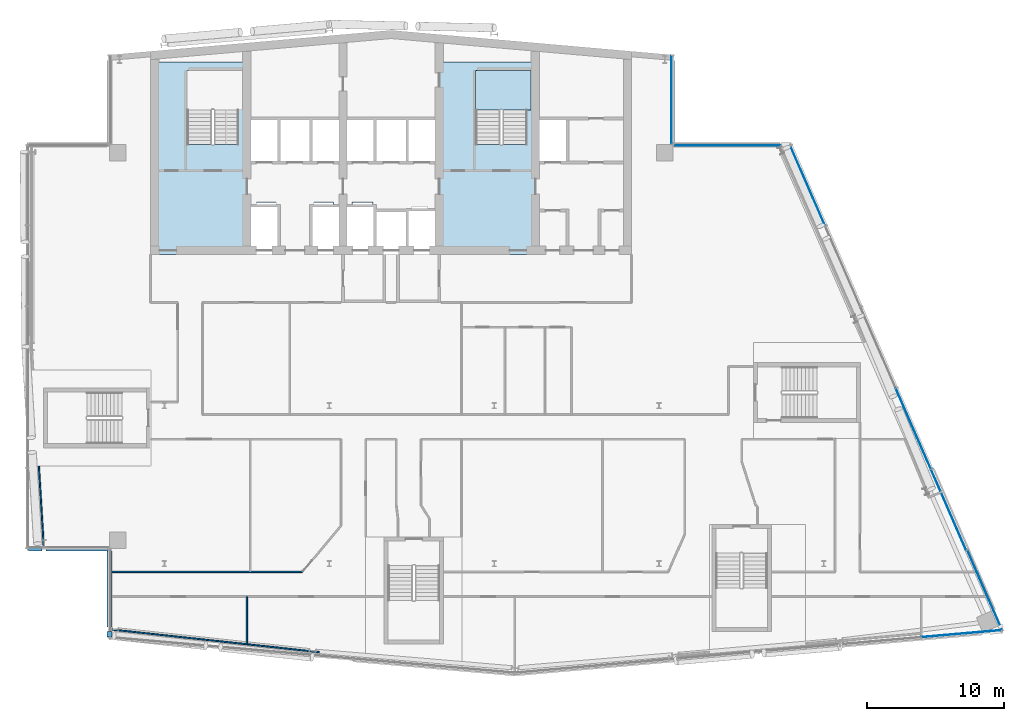
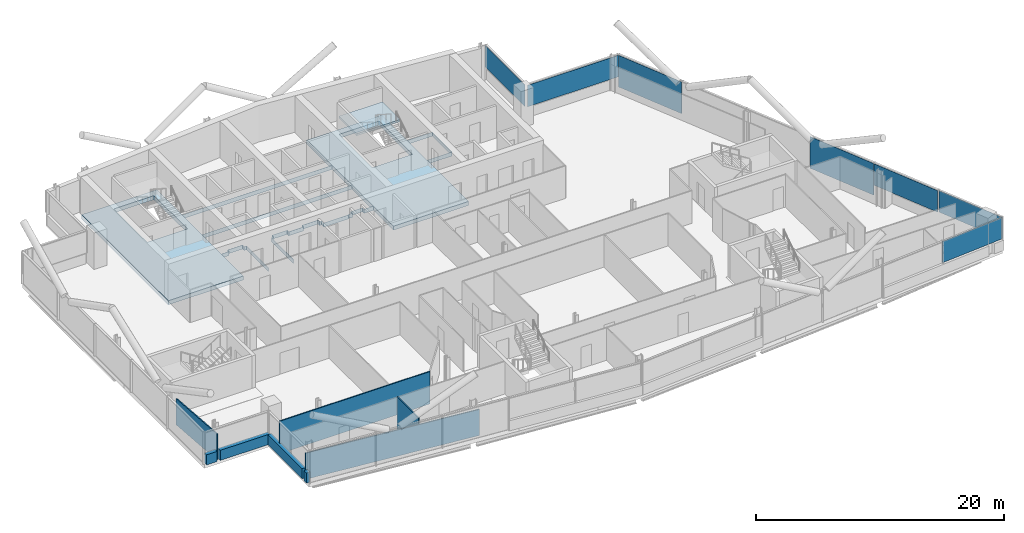
# One storey, part 14 of 27: 8 walls, 7 plates, 2 slabs, 5 elements without a shape of their own.
"""IFC4 building model written with IfcOpenShell, lengths in metres."""

from ifc_helpers import new_model, si_unit, direction, frame, frame_2d, origin, origin_2d, place, context, subcontext, project, spatial, polyline, rectangle, outline, extrude, material, layer, layer_set, type_object, element, aggregate, save


model = new_model("IFC4")

# Units and contexts
model_context = context("Model", 3, precision=1e-05, world=origin(), true_north=direction((0.0, 1.0)))
body_context = subcontext(model_context, "Body", "Model", "MODEL_VIEW")
ifc_project = project(units=[si_unit("LENGTHUNIT", "METRE"), si_unit("AREAUNIT", "SQUARE_METRE"), si_unit("VOLUMEUNIT", "CUBIC_METRE"), si_unit("PLANEANGLEUNIT", "RADIAN"), si_unit("MASSUNIT", "GRAM", prefix="KILO")], contexts=[model_context])

# Site, building, storey
site_placement = place(None, origin())
site = spatial("IfcSite", under=ifc_project, at=site_placement, CompositionType="ELEMENT")
building_placement = place(site_placement, origin())
building = spatial("IfcBuilding", under=site, at=building_placement, Name="Wharfspan Tower", CompositionType="ELEMENT")
storey_placement = place(building_placement, frame((0.0, 0.0, 243.100098)))
storey = spatial("IfcBuildingStorey", under=building, at=storey_placement, Name="L61", CompositionType="ELEMENT", Elevation=243.100098)

# Curtain wall, plate
ifc_material_1 = material(Name="Aluminium 6063-T6", Category="aluminium")
curtain_wall_type_1 = type_object("IfcCurtainWallType", Name="CURTAIN WALL FACETED FRONT", PredefinedType="NOTDEFINED", material=ifc_material_1)
curtain_wall_1_placement = place(storey_placement, origin())
curtain_wall_1 = element("IfcCurtainWall", 1, at=curtain_wall_1_placement, inside=storey, type_object=curtain_wall_type_1, Name="Curtain wall S2", PredefinedType="NOTDEFINED")
ifc_material_2 = material(Name="Glass clear low-iron double glazing", Category="glass")
ifc_layer_1 = layer(ifc_material_2, 0.040039)
ifc_layer_set_1 = layer_set([ifc_layer_1], Name="Glass clear low-iron double glazing")
plate_type_1 = type_object("IfcPlateType", Name="GLASS PANEL FACETED FRONT 40", PredefinedType="CURTAIN_PANEL", material=ifc_layer_set_1)
plate_1_placement = place(storey_placement, frame((82.021484, 6.399658, 0.999756), z_axis=(0.0, 0.0, 1.0), x_axis=(0.996197, 0.087156, 0.0)))
plate_1 = element("IfcPlate", 2, at=plate_1_placement, type_object=plate_type_1, Name="Curtain wall S2 panel 6", PredefinedType="CURTAIN_PANEL", context=body_context, shape_type="SweptSolid", body=[
    extrude(rectangle(XDim=5.849365, YDim=0.040039, at=origin_2d()), origin(), (0.0, 0.0, 1.0), 2.120117),
])
aggregate(curtain_wall_1, [plate_1])

# Curtain wall, plates
curtain_wall_type_2 = type_object("IfcCurtainWallType", Name="CURTAIN WALL PROW AND END", PredefinedType="NOTDEFINED", material=ifc_material_1)
curtain_wall_2_placement = place(storey_placement, origin())
curtain_wall_2 = element("IfcCurtainWall", 3, at=curtain_wall_2_placement, inside=storey, type_object=curtain_wall_type_2, Name="Curtain wall E", PredefinedType="NOTDEFINED")
ifc_layer_2 = layer(ifc_material_2, 0.040039)
ifc_layer_set_2 = layer_set([ifc_layer_2], Name="Glass clear low-iron double glazing")
plate_type_2 = type_object("IfcPlateType", Name="GLASS PANEL PROW AND END 40", PredefinedType="CURTAIN_PANEL", material=ifc_layer_set_2)
plate_2_placement = place(storey_placement, frame((83.711426, 9.563721, 0.999756), z_axis=(0.0, 0.0, 1.0), x_axis=(-0.398727, 0.917072, 0.0)))
plate_2 = element("IfcPlate", 4, at=plate_2_placement, type_object=plate_type_2, Name="Curtain wall E panel 1", PredefinedType="CURTAIN_PANEL", context=body_context, shape_type="SweptSolid", body=[
    extrude(rectangle(XDim=6.343506, YDim=0.040039, at=origin_2d()), origin(), (0.0, 0.0, 1.0), 2.120117),
])
plate_3_placement = place(storey_placement, frame((81.078857, 15.418213, 0.999756), z_axis=(0.0, 0.0, 1.0), x_axis=(-0.398727, 0.917072, 0.0)))
plate_3 = element("IfcPlate", 5, at=plate_3_placement, type_object=plate_type_2, Name="Curtain wall E panel 2", PredefinedType="CURTAIN_PANEL", context=body_context, shape_type="SweptSolid", body=[
    extrude(rectangle(XDim=6.373535, YDim=0.040039, at=origin_2d()), origin(), (0.0, 0.0, 1.0), 2.120117),
])

# Curtain wall, plate
curtain_wall_3_placement = place(storey_placement, origin())
curtain_wall_3 = element("IfcCurtainWall", 6, at=curtain_wall_3_placement, inside=storey, type_object=curtain_wall_type_2, Name="Curtain wall NRE-H", PredefinedType="NOTDEFINED")
plate_4_placement = place(storey_placement, frame((65.304443, 41.919922, 0.999756), z_axis=(0.0, 0.0, 1.0), x_axis=(-1.0, 0.0, 0.0)))
plate_4 = element("IfcPlate", 7, at=plate_4_placement, type_object=plate_type_2, Name="Curtain wall NRE-H panel 1", PredefinedType="CURTAIN_PANEL", context=body_context, shape_type="SweptSolid", body=[
    extrude(rectangle(XDim=8.48877, YDim=0.040039, at=origin_2d()), origin(), (0.0, 0.0, 1.0), 2.120117),
])
aggregate(curtain_wall_3, [plate_4])

curtain_wall_4_placement = place(storey_placement, origin())
curtain_wall_4 = element("IfcCurtainWall", 8, at=curtain_wall_4_placement, inside=storey, type_object=curtain_wall_type_2, Name="Curtain wall NRE-V", PredefinedType="NOTDEFINED")
plate_5_placement = place(storey_placement, frame((60.919922, 45.262451, 0.999756), z_axis=(0.0, 0.0, 1.0), x_axis=(0.0, 1.0, 0.0)))
plate_5 = element("IfcPlate", 9, at=plate_5_placement, type_object=plate_type_2, Name="Curtain wall NRE-V panel 1", PredefinedType="CURTAIN_PANEL", context=body_context, shape_type="SweptSolid", body=[
    extrude(rectangle(XDim=6.405029, YDim=0.040039, at=origin_2d()), origin(), (0.0, 0.0, 1.0), 2.120117),
])
aggregate(curtain_wall_4, [plate_5])

# Plate
ifc_material_3 = material(Name="Aluminium composite opaque insulated panel", Category="aluminium")
ifc_layer_3 = layer(ifc_material_3, 0.040039)
ifc_layer_set_3 = layer_set([ifc_layer_3], Name="Aluminium composite opaque insulated panel")
plate_type_3 = type_object("IfcPlateType", Name="INFILL PANEL PROW AND END OPAQUE 40", PredefinedType="SHEET", material=ifc_layer_set_3)
plate_6_placement = place(storey_placement, frame((78.513672, 21.318115, -0.000244), z_axis=(0.0, 0.0, 1.0), x_axis=(-0.398727, 0.917072, 0.0)))
plate_6 = element("IfcPlate", 10, at=plate_6_placement, type_object=plate_type_3, Name="Curtain wall E panel 3", PredefinedType="SHEET", context=body_context, shape_type="SweptSolid", body=[
    extrude(rectangle(XDim=6.373535, YDim=0.040039, at=origin_2d()), origin(), (0.0, 0.0, 1.0), 3.120117),
])

plate_7_placement = place(storey_placement, frame((70.823975, 39.004395, -0.000244), z_axis=(0.0, 0.0, 1.0), x_axis=(-0.398727, 0.917072, 0.0)))
plate_7 = element("IfcPlate", 11, at=plate_7_placement, type_object=plate_type_3, Name="Curtain wall E panel 6", PredefinedType="SHEET", context=body_context, shape_type="SweptSolid", body=[
    extrude(rectangle(XDim=6.343506, YDim=0.040039, at=origin_2d()), origin(), (0.0, 0.0, 1.0), 3.120117),
])

aggregate(curtain_wall_2, [plate_2, plate_3, plate_6, plate_7])

# Slab
ifc_material_4 = material(Name="Concrete C40/50", Category="concrete")
ifc_layer_4 = layer(ifc_material_4, 0.399902)
ifc_layer_set_4 = layer_set([ifc_layer_4], Name="Concrete C40/50")
slab_type_1 = type_object("IfcSlabType", Name="Post-tensioned flat slab 400", PredefinedType="FLOOR", material=ifc_layer_set_4)
slab_1_placement = place(storey_placement, frame((0.0, 0.0, -0.400146)))
element("IfcSlab", 12, at=slab_1_placement, inside=storey, type_object=slab_type_1, Name="Core floor slab L61 part 2", PredefinedType="FLOOR", context=body_context, shape_type="SweptSolid", body=[
    extrude(outline(polyline([(23.0, 34.0), (29.998047, 34.0), (29.998047, 37.550049), (29.998047, 37.550293), (29.998047, 37.550293), (29.998047, 37.550537), (29.998291, 37.550781), (29.998291, 37.550781), (29.998291, 37.551025), (29.998535, 37.55127), (29.998535, 37.551514), (29.998779, 37.551514), (29.998779, 37.551758), (29.999023, 37.551758), (29.999268, 37.551758), (29.999512, 37.552002), (29.999512, 37.552002), (29.999756, 37.552002), (30.0, 37.552002), (30.7146, 37.552002), (30.7146, 37.800049), (30.7146, 37.800293), (30.7146, 37.800293), (30.714844, 37.800537), (30.714844, 37.800781), (30.714844, 37.800781), (30.715088, 37.801025), (30.715088, 37.80127), (30.715332, 37.801514), (30.715332, 37.801514), (30.715576, 37.801758), (30.71582, 37.801758), (30.71582, 37.801758), (30.716064, 37.802002), (30.716309, 37.802002), (30.716553, 37.802002), (30.716797, 37.802002), (32.116699, 37.802002), (32.116943, 37.802002), (32.117188, 37.802002), (32.117188, 37.802002), (32.117432, 37.801758), (32.117676, 37.801758), (32.11792, 37.801758), (32.11792, 37.801514), (32.118164, 37.801514), (32.118164, 37.80127), (32.118408, 37.801025), (32.118408, 37.800781), (32.118408, 37.800781), (32.118652, 37.800537), (32.118652, 37.800293), (32.118652, 37.800293), (32.118652, 37.800049), (32.118652, 37.552002), (32.333252, 37.552002), (32.333496, 37.552002), (32.33374, 37.552002), (32.333984, 37.552002), (32.333984, 37.551758), (32.334229, 37.551758), (32.334473, 37.551758), (32.334717, 37.551514), (32.334717, 37.551514), (32.334961, 37.55127), (32.334961, 37.551025), (32.335205, 37.550781), (32.335205, 37.550781), (32.335205, 37.550537), (32.335205, 37.550293), (32.335205, 37.550293), (32.335205, 37.550049), (32.335205, 34.0), (32.341309, 34.0), (32.341309, 37.558105), (32.126709, 37.558105), (32.126465, 37.558105), (32.126221, 37.558105), (32.126221, 37.558105), (32.125977, 37.558105), (32.125732, 37.558105), (32.125488, 37.55835), (32.125488, 37.558594), (32.125244, 37.558594), (32.125244, 37.558594), (32.125, 37.558838), (32.125, 37.559082), (32.125, 37.559082), (32.124756, 37.559326), (32.124756, 37.55957), (32.124756, 37.559814), (32.124756, 37.560059), (32.124756, 37.808105), (30.70874, 37.808105), (30.70874, 37.560059), (30.70874, 37.559814), (30.70874, 37.55957), (30.708496, 37.559326), (30.708496, 37.559082), (30.708496, 37.559082), (30.708496, 37.558838), (30.708252, 37.558594), (30.708008, 37.558594), (30.708008, 37.558594), (30.707764, 37.55835), (30.70752, 37.558105), (30.70752, 37.558105), (30.707275, 37.558105), (30.707031, 37.558105), (30.706787, 37.558105), (30.706787, 37.558105), (30.01001, 37.558105), (30.009766, 37.558105), (30.009521, 37.558105), (30.009521, 37.558105), (30.009277, 37.558105), (30.009033, 37.558105), (30.008789, 37.55835), (30.008789, 37.558594), (30.008545, 37.558594), (30.008545, 37.558594), (30.008301, 37.558838), (30.008301, 37.559082), (30.008301, 37.559082), (30.008057, 37.559326), (30.008057, 37.55957), (30.008057, 37.559814), (30.008057, 37.560059), (30.008057, 40.689941), (30.008057, 40.690186), (30.008057, 40.69043), (30.008057, 40.690674), (30.008301, 40.690918), (30.008301, 40.690918), (30.008301, 40.691162), (30.008545, 40.691406), (30.008545, 40.691406), (30.008789, 40.691406), (30.008789, 40.69165), (30.009033, 40.691895), (30.009277, 40.691895), (30.009521, 40.691895), (30.009521, 40.691895), (30.009766, 40.691895), (30.01001, 40.691895), (43.98999, 40.691895), (43.990234, 40.691895), (43.990479, 40.691895), (43.990479, 40.691895), (43.990723, 40.691895), (43.990967, 40.691895), (43.991211, 40.69165), (43.991211, 40.691406), (43.991455, 40.691406), (43.991455, 40.691406), (43.991699, 40.691162), (43.991699, 40.690918), (43.991699, 40.690918), (43.991943, 40.690674), (43.991943, 40.69043), (43.991943, 40.690186), (43.991943, 40.689941), (43.991943, 37.26001), (43.991943, 37.259766), (43.991943, 37.259521), (43.991943, 37.259521), (43.991699, 37.259277), (43.991699, 37.259033), (43.991699, 37.258789), (43.991455, 37.258789), (43.991455, 37.258545), (43.991211, 37.258545), (43.991211, 37.258301), (43.990967, 37.258301), (43.990723, 37.258301), (43.990479, 37.258057), (43.990479, 37.258057), (43.990234, 37.258057), (43.98999, 37.258057), (43.143311, 37.258057), (43.143066, 37.258057), (43.142822, 37.258057), (43.142578, 37.258057), (43.142578, 37.258301), (43.142334, 37.258301), (43.14209, 37.258301), (43.14209, 37.258545), (43.141846, 37.258545), (43.141846, 37.258789), (43.141602, 37.258789), (43.141602, 37.259033), (43.141602, 37.259277), (43.141357, 37.259521), (43.141357, 37.259521), (43.141357, 37.259766), (43.141357, 37.26001), (43.141357, 37.508057), (42.025391, 37.508057), (42.025391, 37.26001), (42.025391, 37.259766), (42.025391, 37.259521), (42.025146, 37.259521), (42.025146, 37.259277), (42.025146, 37.259033), (42.024902, 37.258789), (42.024902, 37.258789), (42.024658, 37.258545), (42.024658, 37.258545), (42.024414, 37.258301), (42.02417, 37.258301), (42.02417, 37.258301), (42.023926, 37.258057), (42.023682, 37.258057), (42.023438, 37.258057), (42.023193, 37.258057), (41.658691, 37.258057), (41.658691, 37.209961), (41.658691, 37.209717), (41.658691, 37.209717), (41.658691, 37.209473), (41.658447, 37.209229), (41.658447, 37.208984), (41.658447, 37.208984), (41.658203, 37.20874), (41.658203, 37.208496), (41.657959, 37.208496), (41.657715, 37.208252), (41.657715, 37.208252), (41.657471, 37.208252), (41.657227, 37.208008), (41.656982, 37.208008), (41.656982, 37.208008), (41.656738, 37.208008), (39.343262, 37.208008), (39.343018, 37.208008), (39.343018, 37.208008), (39.342773, 37.208008), (39.342529, 37.208252), (39.342285, 37.208252), (39.342285, 37.208252), (39.342041, 37.208496), (39.341797, 37.208496), (39.341797, 37.20874), (39.341553, 37.208984), (39.341553, 37.208984), (39.341553, 37.209229), (39.341309, 37.209473), (39.341309, 37.209717), (39.341309, 37.209717), (39.341309, 37.209961), (39.341309, 37.558105), (39.166748, 37.558105), (39.166504, 37.558105), (39.16626, 37.558105), (39.166016, 37.558105), (39.166016, 37.558105), (39.165771, 37.558105), (39.165527, 37.55835), (39.165283, 37.558594), (39.165283, 37.558594), (39.165283, 37.558594), (39.165039, 37.558838), (39.164795, 37.559082), (39.164795, 37.559082), (39.164795, 37.559326), (39.164795, 37.55957), (39.164795, 37.559814), (39.164795, 37.560059), (39.164795, 37.808105), (37.668701, 37.808105), (37.668701, 37.560059), (37.668701, 37.559814), (37.668701, 37.55957), (37.668701, 37.559326), (37.668457, 37.559082), (37.668457, 37.559082), (37.668457, 37.558838), (37.668213, 37.558594), (37.668213, 37.558594), (37.667969, 37.558594), (37.667725, 37.55835), (37.66748, 37.558105), (37.66748, 37.558105), (37.667236, 37.558105), (37.666992, 37.558105), (37.666992, 37.558105), (37.666748, 37.558105), (36.293213, 37.558105), (36.293213, 37.558105), (36.292969, 37.558105), (36.292725, 37.558105), (36.29248, 37.558105), (36.29248, 37.558105), (36.292236, 37.55835), (36.291992, 37.558594), (36.291992, 37.558594), (36.291748, 37.558594), (36.291504, 37.558838), (36.291504, 37.559082), (36.291504, 37.559082), (36.291504, 37.559326), (36.29126, 37.55957), (36.29126, 37.559814), (36.29126, 37.560059), (36.29126, 37.808105), (34.875244, 37.808105), (34.875244, 37.560059), (34.875244, 37.559814), (34.875244, 37.55957), (34.875244, 37.559326), (34.875, 37.559082), (34.875, 37.559082), (34.875, 37.558838), (34.874756, 37.558594), (34.874756, 37.558594), (34.874512, 37.558594), (34.874512, 37.55835), (34.874268, 37.558105), (34.874023, 37.558105), (34.873779, 37.558105), (34.873779, 37.558105), (34.873535, 37.558105), (34.873291, 37.558105), (34.658691, 37.558105), (34.658691, 34.0), (34.664795, 34.0), (34.664795, 37.550049), (34.664795, 37.550293), (34.664795, 37.550293), (34.664795, 37.550537), (34.664795, 37.550781), (34.664795, 37.550781), (34.665039, 37.551025), (34.665039, 37.55127), (34.665283, 37.551514), (34.665283, 37.551514), (34.665527, 37.551758), (34.665771, 37.551758), (34.666016, 37.551758), (34.666016, 37.552002), (34.66626, 37.552002), (34.666504, 37.552002), (34.666748, 37.552002), (34.881348, 37.552002), (34.881348, 37.800049), (34.881348, 37.800293), (34.881348, 37.800293), (34.881348, 37.800537), (34.881592, 37.800781), (34.881592, 37.800781), (34.881592, 37.801025), (34.881836, 37.80127), (34.881836, 37.801514), (34.88208, 37.801514), (34.88208, 37.801758), (34.882324, 37.801758), (34.882568, 37.801758), (34.882812, 37.802002), (34.882812, 37.802002), (34.883057, 37.802002), (34.883301, 37.802002), (36.283203, 37.802002), (36.283447, 37.802002), (36.283691, 37.802002), (36.283936, 37.802002), (36.28418, 37.801758), (36.28418, 37.801758), (36.284424, 37.801758), (36.284668, 37.801514), (36.284668, 37.801514), (36.284912, 37.80127), (36.284912, 37.801025), (36.285156, 37.800781), (36.285156, 37.800781), (36.285156, 37.800537), (36.2854, 37.800293), (36.2854, 37.800293), (36.2854, 37.800049), (36.2854, 37.552002), (37.674805, 37.552002), (37.674805, 37.800049), (37.674805, 37.800293), (37.674805, 37.800293), (37.674805, 37.800537), (37.674805, 37.800781), (37.674805, 37.800781), (37.675049, 37.801025), (37.675049, 37.80127), (37.675293, 37.801514), (37.675293, 37.801514), (37.675537, 37.801758), (37.675781, 37.801758), (37.675781, 37.801758), (37.676025, 37.802002), (37.67627, 37.802002), (37.676514, 37.802002), (37.676758, 37.802002), (39.156738, 37.802002), (39.156982, 37.802002), (39.156982, 37.802002), (39.157227, 37.802002), (39.157471, 37.801758), (39.157715, 37.801758), (39.157715, 37.801758), (39.157959, 37.801514), (39.158203, 37.801514), (39.158203, 37.80127), (39.158203, 37.801025), (39.158447, 37.800781), (39.158447, 37.800781), (39.158691, 37.800537), (39.158691, 37.800293), (39.158691, 37.800293), (39.158691, 37.800049), (39.158691, 37.552002), (39.333252, 37.552002), (39.333496, 37.552002), (39.33374, 37.552002), (39.333984, 37.552002), (39.333984, 37.551758), (39.334229, 37.551758), (39.334473, 37.551758), (39.334717, 37.551514), (39.334717, 37.551514), (39.334961, 37.55127), (39.334961, 37.551025), (39.335205, 37.550781), (39.335205, 37.550781), (39.335205, 37.550537), (39.335205, 37.550293), (39.335205, 37.550293), (39.335205, 37.550049), (39.335205, 37.201904), (41.664795, 37.201904), (41.664795, 37.25), (41.664795, 37.250244), (41.664795, 37.250488), (41.664795, 37.250488), (41.664795, 37.250732), (41.664795, 37.250977), (41.665039, 37.251221), (41.665039, 37.251221), (41.665283, 37.251465), (41.665283, 37.251465), (41.665527, 37.251709), (41.665771, 37.251709), (41.666016, 37.251709), (41.666016, 37.251953), (41.66626, 37.251953), (41.666504, 37.251953), (41.666748, 37.251953), (42.03125, 37.251953), (42.03125, 37.5), (42.03125, 37.500244), (42.031494, 37.500488), (42.031494, 37.500488), (42.031494, 37.500732), (42.031494, 37.500977), (42.031738, 37.501221), (42.031738, 37.501221), (42.031982, 37.501465), (42.031982, 37.501465), (42.032227, 37.501709), (42.032471, 37.501709), (42.032715, 37.501709), (42.032715, 37.501953), (42.032959, 37.501953), (42.033203, 37.501953), (42.033203, 37.501953), (43.133301, 37.501953), (43.133545, 37.501953), (43.133789, 37.501953), (43.133789, 37.501953), (43.134033, 37.501709), (43.134277, 37.501709), (43.134521, 37.501709), (43.134521, 37.501465), (43.134766, 37.501465), (43.13501, 37.501221), (43.13501, 37.501221), (43.13501, 37.500977), (43.135254, 37.500732), (43.135254, 37.500488), (43.135254, 37.500488), (43.135254, 37.500244), (43.135254, 37.5), (43.135254, 37.251953), (44.0, 37.251953), (44.000244, 37.251953), (44.000488, 37.251953), (44.000488, 37.251953), (44.000732, 37.251709), (44.000977, 37.251709), (44.001221, 37.251709), (44.001221, 37.251465), (44.001465, 37.251465), (44.001465, 37.251221), (44.001709, 37.251221), (44.001709, 37.250977), (44.001709, 37.250732), (44.001953, 37.250488), (44.001953, 37.250488), (44.001953, 37.250244), (44.001953, 37.25), (44.001953, 34.0), (51.0, 34.0), (51.008057, 34.0), (51.008057, 40.689941), (51.008057, 40.690186), (51.008057, 40.69043), (51.008057, 40.690674), (51.008301, 40.690918), (51.008301, 40.690918), (51.008301, 40.691162), (51.008545, 40.691406), (51.008545, 40.691406), (51.008789, 40.691406), (51.008789, 40.69165), (51.009033, 40.691895), (51.009277, 40.691895), (51.009521, 40.691895), (51.009521, 40.691895), (51.009766, 40.691895), (51.01001, 40.691895), (53.341309, 40.691895), (53.341309, 43.907959), (51.01001, 43.907959), (51.009766, 43.907959), (51.009521, 43.907959), (51.009521, 43.908203), (51.009277, 43.908203), (51.009033, 43.908203), (51.008789, 43.908203), (51.008789, 43.908447), (51.008545, 43.908691), (51.008545, 43.908691), (51.008301, 43.908936), (51.008301, 43.90918), (51.008301, 43.90918), (51.008057, 43.909424), (51.008057, 43.909668), (51.008057, 43.909912), (51.008057, 43.909912), (51.008057, 48.008057), (43.991943, 48.008057), (43.991943, 43.909912), (43.991943, 43.909912), (43.991943, 43.909668), (43.991943, 43.909424), (43.991699, 43.90918), (43.991699, 43.90918), (43.991699, 43.908936), (43.991455, 43.908691), (43.991455, 43.908691), (43.991211, 43.908447), (43.991211, 43.908203), (43.990967, 43.908203), (43.990723, 43.908203), (43.990479, 43.908203), (43.990479, 43.907959), (43.990234, 43.907959), (43.98999, 43.907959), (30.01001, 43.907959), (30.009766, 43.907959), (30.009521, 43.907959), (30.009521, 43.908203), (30.009277, 43.908203), (30.009033, 43.908203), (30.008789, 43.908203), (30.008789, 43.908447), (30.008545, 43.908691), (30.008545, 43.908691), (30.008301, 43.908936), (30.008301, 43.90918), (30.008301, 43.90918), (30.008057, 43.909424), (30.008057, 43.909668), (30.008057, 43.909912), (30.008057, 43.909912), (30.008057, 48.008057), (23.0, 48.008057), (23.0, 48.0), (23.0, 34.0)]), holes=[polyline([(53.333252, 43.9021), (53.333496, 43.9021), (53.33374, 43.9021), (53.333984, 43.901855), (53.333984, 43.901855), (53.334229, 43.901855), (53.334473, 43.901611), (53.334717, 43.901611), (53.334717, 43.901367), (53.334961, 43.901367), (53.334961, 43.901123), (53.335205, 43.900879), (53.335205, 43.900879), (53.335205, 43.900635), (53.335205, 43.900391), (53.335205, 43.900146), (53.335205, 43.899902), (53.335205, 40.699951), (53.335205, 40.699707), (53.335205, 40.699707), (53.335205, 40.699463), (53.335205, 40.699219), (53.335205, 40.699219), (53.334961, 40.698975), (53.334961, 40.69873), (53.334717, 40.698486), (53.334717, 40.698486), (53.334473, 40.698242), (53.334229, 40.698242), (53.333984, 40.698242), (53.333984, 40.697998), (53.33374, 40.697998), (53.333496, 40.697998), (53.333252, 40.697998), (51.0, 40.697998), (50.999756, 40.697998), (50.999512, 40.697998), (50.999512, 40.697998), (50.999268, 40.698242), (50.999023, 40.698242), (50.998779, 40.698242), (50.998779, 40.698486), (50.998535, 40.698486), (50.998535, 40.69873), (50.998291, 40.698975), (50.998291, 40.699219), (50.998291, 40.699219), (50.998047, 40.699463), (50.998047, 40.699707), (50.998047, 40.699707), (50.998047, 40.699951), (50.998047, 43.899902), (50.998047, 43.900146), (50.998047, 43.900391), (50.998047, 43.900635), (50.998291, 43.900879), (50.998291, 43.900879), (50.998291, 43.901123), (50.998535, 43.901367), (50.998535, 43.901367), (50.998779, 43.901611), (50.998779, 43.901611), (50.999023, 43.901855), (50.999268, 43.901855), (50.999512, 43.901855), (50.999512, 43.9021), (50.999756, 43.9021), (51.0, 43.9021), (53.333252, 43.9021)]), polyline([(46.649902, 41.998047), (46.649902, 41.998047), (46.649658, 41.998047), (46.649414, 41.998047), (46.64917, 41.998291), (46.64917, 41.998291), (46.648926, 41.998291), (46.648682, 41.998535), (46.648682, 41.998535), (46.648438, 41.998779), (46.648193, 41.998779), (46.648193, 41.999023), (46.648193, 41.999268), (46.648193, 41.999512), (46.647949, 41.999512), (46.647949, 41.999756), (46.647949, 42.0), (46.647949, 47.399902), (46.647949, 47.400146), (46.647949, 47.400391), (46.648193, 47.400635), (46.648193, 47.400879), (46.648193, 47.400879), (46.648193, 47.401123), (46.648438, 47.401367), (46.648682, 47.401367), (46.648682, 47.401611), (46.648926, 47.401611), (46.64917, 47.401855), (46.64917, 47.401855), (46.649414, 47.401855), (46.649658, 47.4021), (46.649902, 47.4021), (46.649902, 47.4021), (50.399902, 47.4021), (50.400146, 47.4021), (50.400391, 47.4021), (50.400635, 47.401855), (50.400879, 47.401855), (50.400879, 47.401855), (50.401123, 47.401611), (50.401367, 47.401611), (50.401367, 47.401367), (50.401611, 47.401367), (50.401611, 47.401123), (50.401855, 47.400879), (50.401855, 47.400879), (50.401855, 47.400635), (50.4021, 47.400391), (50.4021, 47.400146), (50.4021, 47.399902), (50.4021, 42.0), (50.4021, 41.999756), (50.4021, 41.999512), (50.401855, 41.999512), (50.401855, 41.999268), (50.401855, 41.999023), (50.401611, 41.998779), (50.401611, 41.998779), (50.401367, 41.998535), (50.401367, 41.998535), (50.401123, 41.998291), (50.400879, 41.998291), (50.400879, 41.998291), (50.400635, 41.998047), (50.400391, 41.998047), (50.400146, 41.998047), (50.399902, 41.998047), (46.649902, 41.998047)]), polyline([(44.0, 43.9021), (44.000244, 43.9021), (44.000488, 43.9021), (44.000488, 43.901855), (44.000732, 43.901855), (44.000977, 43.901855), (44.001221, 43.901611), (44.001221, 43.901611), (44.001465, 43.901367), (44.001465, 43.901367), (44.001709, 43.901123), (44.001709, 43.900879), (44.001709, 43.900879), (44.001953, 43.900635), (44.001953, 43.900391), (44.001953, 43.900146), (44.001953, 43.899902), (44.001953, 40.699951), (44.001953, 40.699707), (44.001953, 40.699707), (44.001953, 40.699463), (44.001709, 40.699219), (44.001709, 40.699219), (44.001709, 40.698975), (44.001465, 40.69873), (44.001465, 40.698486), (44.001221, 40.698486), (44.001221, 40.698242), (44.000977, 40.698242), (44.000732, 40.698242), (44.000488, 40.697998), (44.000488, 40.697998), (44.000244, 40.697998), (44.0, 40.697998), (30.0, 40.697998), (29.999756, 40.697998), (29.999512, 40.697998), (29.999512, 40.697998), (29.999268, 40.698242), (29.999023, 40.698242), (29.998779, 40.698242), (29.998779, 40.698486), (29.998535, 40.698486), (29.998535, 40.69873), (29.998291, 40.698975), (29.998291, 40.699219), (29.998291, 40.699219), (29.998047, 40.699463), (29.998047, 40.699707), (29.998047, 40.699707), (29.998047, 40.699951), (29.998047, 43.899902), (29.998047, 43.900146), (29.998047, 43.900391), (29.998047, 43.900635), (29.998291, 43.900879), (29.998291, 43.900879), (29.998291, 43.901123), (29.998535, 43.901367), (29.998535, 43.901367), (29.998779, 43.901611), (29.998779, 43.901611), (29.999023, 43.901855), (29.999268, 43.901855), (29.999512, 43.901855), (29.999512, 43.9021), (29.999756, 43.9021), (30.0, 43.9021), (44.0, 43.9021)]), polyline([(29.4021, 42.0), (29.4021, 41.999756), (29.4021, 41.999512), (29.401855, 41.999512), (29.401855, 41.999268), (29.401855, 41.999023), (29.401611, 41.998779), (29.401611, 41.998779), (29.401367, 41.998535), (29.401367, 41.998535), (29.401123, 41.998291), (29.400879, 41.998291), (29.400879, 41.998291), (29.400635, 41.998047), (29.400391, 41.998047), (29.400146, 41.998047), (29.399902, 41.998047), (25.649902, 41.998047), (25.649902, 41.998047), (25.649658, 41.998047), (25.649414, 41.998047), (25.64917, 41.998291), (25.64917, 41.998291), (25.648926, 41.998291), (25.648682, 41.998535), (25.648682, 41.998535), (25.648438, 41.998779), (25.648193, 41.998779), (25.648193, 41.999023), (25.648193, 41.999268), (25.648193, 41.999512), (25.647949, 41.999512), (25.647949, 41.999756), (25.647949, 42.0), (25.647949, 47.399902), (25.647949, 47.400146), (25.647949, 47.400391), (25.648193, 47.400635), (25.648193, 47.400879), (25.648193, 47.400879), (25.648193, 47.401123), (25.648438, 47.401367), (25.648682, 47.401367), (25.648682, 47.401611), (25.648926, 47.401611), (25.64917, 47.401855), (25.64917, 47.401855), (25.649414, 47.401855), (25.649658, 47.4021), (25.649902, 47.4021), (25.649902, 47.4021), (29.399902, 47.4021), (29.400146, 47.4021), (29.400391, 47.4021), (29.400635, 47.401855), (29.400879, 47.401855), (29.400879, 47.401855), (29.401123, 47.401611), (29.401367, 47.401611), (29.401367, 47.401367), (29.401611, 47.401367), (29.401611, 47.401123), (29.401855, 47.400879), (29.401855, 47.400879), (29.401855, 47.400635), (29.4021, 47.400391), (29.4021, 47.400146), (29.4021, 47.399902), (29.4021, 42.0)])]), origin(), (0.0, 0.0, 1.0), 0.400146),
])

# Stair, slab
stair_type = type_object("IfcStairType", Name="Half-turn stair 20 risers 180 mm", PredefinedType="HALF_TURN_STAIR", material=ifc_material_4)
stair_placement = place(storey_placement, origin())
stair = element("IfcStair", 13, at=stair_placement, inside=storey, type_object=stair_type, Name="L61 stair ST2", PredefinedType="HALF_TURN_STAIR")
ifc_layer_5 = layer(ifc_material_4, 0.199951)
ifc_layer_set_5 = layer_set([ifc_layer_5], Name="Concrete C40/50")
slab_type_2 = type_object("IfcSlabType", Name="Stair landing 200", PredefinedType="LANDING", material=ifc_layer_set_5)
slab_2_placement = place(storey_placement, frame((0.0, 0.0, 1.599609)))
slab_2 = element("IfcSlab", 14, at=slab_2_placement, type_object=slab_type_2, Name="ST2 landing 1", PredefinedType="LANDING", context=body_context, shape_type="SweptSolid", body=[
    extrude(outline(polyline([(46.649902, 44.52002), (50.699951, 44.52002), (50.699951, 47.399902), (46.649902, 47.399902), (46.649902, 44.52002)])), origin(), (0.0, 0.0, 1.0), 0.200195),
])
aggregate(stair, [slab_2])

# Walls
ifc_material_5 = material(Name="Gypsum board on steel studs", Category="steel")
ifc_layer_6 = layer(ifc_material_5, 0.100098)
ifc_layer_set_6 = layer_set([ifc_layer_6], Name="Gypsum board on steel studs")
wall_type_1 = type_object("IfcWallType", Name="Compartment wall 100 EI 60", PredefinedType="PARTITIONING", material=ifc_layer_set_6)
wall_1_placement = place(storey_placement, frame((20.02002, 10.89502, 0.0), z_axis=(0.0, 0.0, 1.0), x_axis=(1.0, 0.0, 0.0)))
element("IfcWall", 15, at=wall_1_placement, inside=storey, type_object=wall_type_1, Name="Partition L61.w005", PredefinedType="PARTITIONING", context=body_context, shape_type="SweptSolid", body=[
    extrude(rectangle(XDim=14.02002, YDim=0.100098, at=frame_2d((7.01001, 0.0))), origin(), (0.0, 0.0, 1.0), 3.199951),
])
wall_2_placement = place(storey_placement, frame((30.0, 5.629883, 0.0), z_axis=(0.0, 0.0, 1.0), x_axis=(0.0, 1.0, 0.0)))
element("IfcWall", 16, at=wall_2_placement, inside=storey, type_object=wall_type_1, Name="Partition L61.w014", PredefinedType="PARTITIONING", context=body_context, shape_type="SweptSolid", body=[
    extrude(rectangle(XDim=3.465088, YDim=0.100098, at=frame_2d((1.732422, 0.0))), origin(), (0.0, 0.0, 1.0), 3.199951),
])
ifc_layer_7 = layer(ifc_material_5, 0.100098)
ifc_layer_set_7 = layer_set([ifc_layer_7], Name="Gypsum board on steel studs")
wall_type_2 = type_object("IfcWallType", Name="Partition 100", PredefinedType="PARTITIONING", material=ifc_layer_set_7)
wall_3_placement = place(storey_placement, frame((15.223877, 12.620117, 0.0), z_axis=(0.0, 0.0, 1.0), x_axis=(-0.060759, 0.998149, 0.0)))
element("IfcWall", 17, at=wall_3_placement, inside=storey, type_object=wall_type_2, Name="Partition L61.w003", PredefinedType="PARTITIONING", context=body_context, shape_type="SweptSolid", body=[
    extrude(rectangle(XDim=5.970947, YDim=0.100098, at=frame_2d((2.985352, 0.0))), origin(), (0.0, 0.0, 1.0), 2.579834),
])
wall_4_placement = place(storey_placement, frame((35.274902, 5.054932, 0.0), z_axis=(0.0, 0.0, 1.0), x_axis=(-0.994114, 0.108368, 0.0)))
element("IfcWall", 18, at=wall_4_placement, inside=storey, type_object=wall_type_2, Name="Partition L61.w018", PredefinedType="PARTITIONING", context=body_context, shape_type="SweptSolid", body=[
    extrude(rectangle(XDim=15.335449, YDim=0.100098, at=frame_2d((7.667725, 0.0))), origin(), (0.0, 0.0, 1.0), 2.579834),
])
ifc_layer_8 = layer(ifc_material_4, 0.350098)
ifc_layer_set_8 = layer_set([ifc_layer_8], Name="Concrete C40/50")
wall_type_3 = type_object("IfcWallType", Name="SPANDREL EXPOSED CONCRETE 350", PredefinedType="SOLIDWALL", material=ifc_layer_set_8)
wall_5_placement = place(storey_placement, frame((14.120117, 12.594971, 0.0), z_axis=(0.0, 0.0, 1.0), x_axis=(1.0, 0.0, 0.0)))
element("IfcWall", 19, at=wall_5_placement, inside=storey, type_object=wall_type_3, Name="Spandrel upstand L61 NFW-H", PredefinedType="SOLIDWALL", context=body_context, shape_type="SweptSolid", body=[
    extrude(rectangle(XDim=0.9646, YDim=0.350098, at=frame_2d((0.482422, 0.0))), origin(), (0.0, 0.0, 1.0), 1.0),
])
wall_6_placement = place(storey_placement, frame((15.390625, 12.594971, 0.0), z_axis=(0.0, 0.0, 1.0), x_axis=(1.0, 0.0, 0.0)))
element("IfcWall", 20, at=wall_6_placement, inside=storey, type_object=wall_type_3, Name="Spandrel upstand L61 NFW-H 2", PredefinedType="SOLIDWALL", context=body_context, shape_type="SweptSolid", body=[
    extrude(rectangle(XDim=4.609375, YDim=0.350098, at=frame_2d((2.304688, 0.0))), origin(), (0.0, 0.0, 1.0), 1.0),
])
wall_7_placement = place(storey_placement, frame((19.995117, 12.419922, 0.0), z_axis=(0.0, 0.0, 1.0), x_axis=(0.0, -1.0, 0.0)))
element("IfcWall", 21, at=wall_7_placement, inside=storey, type_object=wall_type_3, Name="Spandrel upstand L61 NFW-V", PredefinedType="SOLIDWALL", context=body_context, shape_type="SweptSolid", body=[
    extrude(rectangle(XDim=5.542236, YDim=0.350098, at=frame_2d((2.770996, 0.0))), origin(), (0.0, 0.0, 1.0), 1.0),
])
wall_8_placement = place(storey_placement, frame((19.995117, 6.568359, 0.0), z_axis=(0.0, 0.0, 1.0), x_axis=(0.0, -1.0, 0.0)))
element("IfcWall", 22, at=wall_8_placement, inside=storey, type_object=wall_type_3, Name="Spandrel upstand L61 NFW-V 2", PredefinedType="SOLIDWALL", context=body_context, shape_type="SweptSolid", body=[
    extrude(rectangle(XDim=0.393555, YDim=0.350098, at=frame_2d((0.196777, 0.0))), origin(), (0.0, 0.0, 1.0), 1.0),
])

save(model, "model.ifc")
